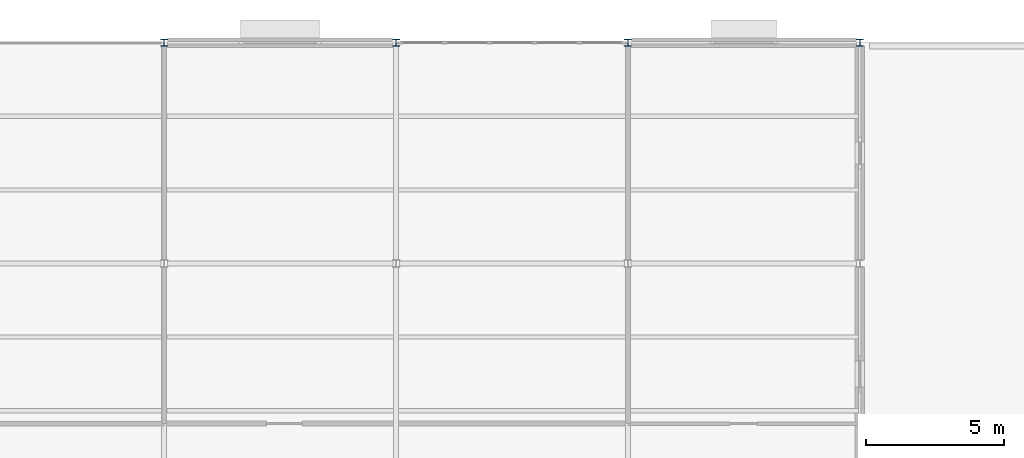
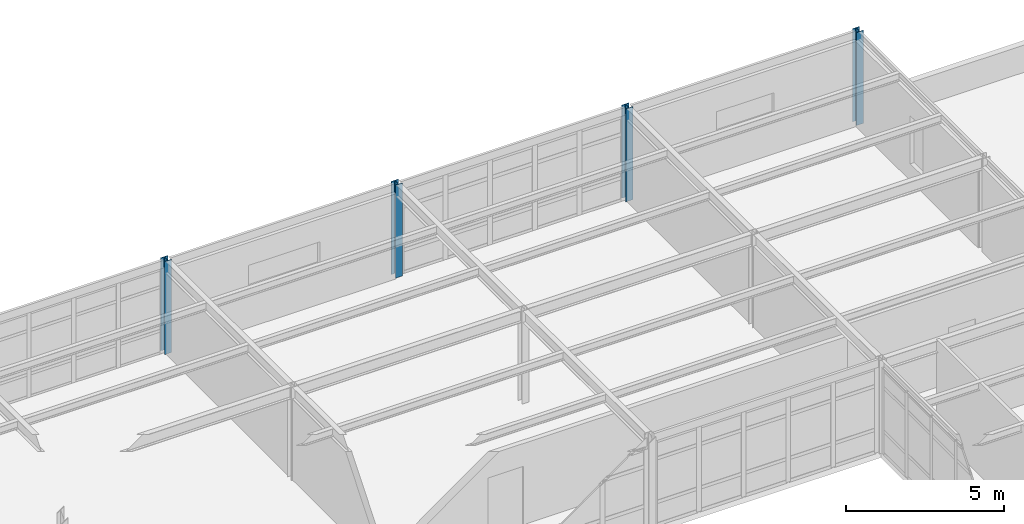
# One storey, part 10 of 53: 4 columns.
"""IFC4 building model written with IfcOpenShell, lengths in metres."""

import ifcopenshell
import ifcopenshell.guid

model = None  # the IFC model being written
_history = None  # IfcOwnerHistory: only IFC2X3 demands one
_inside = {}  # id of a spatial element -> (the spatial element, [elements in it])
_under = {}  # id of a project, library or spatial element -> (it, [spatial elements below it])
_declared = {}  # id of a project -> (the project, [libraries it declares])
_typed = {}  # id of a type object -> (the type object, [elements of that type])
_made_of = {}  # id of a material, layer set ... -> (it, [elements and type objects made of it])


def new_model(schema):
    """Start an empty IFC model of exactly this schema.

    Asked for "IFC4X3", IfcOpenShell would pick the latest addendum, in which some entities
    have other attributes; the version numbers below select the first issue.
    IFC2X3 requires an IfcOwnerHistory on every rooted entity: one is made here for all.
    """
    global model, _history
    if schema == "IFC4X3":
        model = ifcopenshell.file(schema_version=(4, 3, 0, 0))
    else:
        model = ifcopenshell.file(schema=schema)
    _inside.clear()
    _under.clear()
    _declared.clear()
    _typed.clear()
    _made_of.clear()
    _history = None
    if model.schema == "IFC2X3":
        org = make("IfcOrganization", Name="unknown")
        user = make(
            "IfcPersonAndOrganization",
            ThePerson=make("IfcPerson", FamilyName="unknown"),
            TheOrganization=org,
        )
        app = make(
            "IfcApplication",
            ApplicationDeveloper=org,
            Version="unknown",
            ApplicationFullName="unknown",
            ApplicationIdentifier="unknown",
        )
        _history = make(
            "IfcOwnerHistory",
            OwningUser=user,
            OwningApplication=app,
            ChangeAction="ADDED",
            CreationDate=0,
        )
    return model


def make(cls, **values):
    """One entity of the class cls with the attributes given. An attribute that is None is left unset."""
    return model.create_entity(
        cls, **{name: value for name, value in values.items() if value is not None}
    )


def rooted(cls, **values):
    """An entity with a GlobalId (a new one), such as an element, a storey or a relation."""
    return make(cls, GlobalId=ifcopenshell.guid.new(), OwnerHistory=_history, **values)


def si_unit(unit_type, name, prefix=None):
    """IfcSIUnit, for example si_unit("LENGTHUNIT", "METRE", prefix="MILLI")."""
    return make("IfcSIUnit", UnitType=unit_type, Prefix=prefix, Name=name)


def assignment(units):
    """IfcUnitAssignment: the units of a project."""
    return None if units is None else make("IfcUnitAssignment", Units=units)


def point(xyz):
    """IfcCartesianPoint."""
    return None if xyz is None else make("IfcCartesianPoint", Coordinates=xyz)


def direction(xyz):
    """IfcDirection."""
    return None if xyz is None else make("IfcDirection", DirectionRatios=xyz)


def frame(location, z_axis=None, x_axis=None):
    """IfcAxis2Placement3D, a coordinate frame: its origin and axes. An axis left out is left unset."""
    return make(
        "IfcAxis2Placement3D",
        Location=point(location),
        Axis=direction(z_axis),
        RefDirection=direction(x_axis),
    )


def frame_2d(location, x_axis=None):
    """IfcAxis2Placement2D, a coordinate frame in the plane: its origin and x axis."""
    return make(
        "IfcAxis2Placement2D", Location=point(location), RefDirection=direction(x_axis)
    )


def origin():
    """The frame at (0, 0, 0) with its axes left unset."""
    return frame((0.0, 0.0, 0.0))


def origin_2d():
    """The frame at (0, 0) in the plane with its x axis left unset."""
    return frame_2d((0.0, 0.0))


def place(relative_to, where):
    """IfcLocalPlacement: puts the frame where relative to a parent placement (None: the world)."""
    return make(
        "IfcLocalPlacement", PlacementRelTo=relative_to, RelativePlacement=where
    )


def context(
    kind, dimensions, precision=None, world=None, true_north=None, identifier=None
):
    """IfcGeometricRepresentationContext, for example the 3D "Model" context."""
    return make(
        "IfcGeometricRepresentationContext",
        ContextIdentifier=identifier,
        ContextType=kind,
        CoordinateSpaceDimension=dimensions,
        Precision=precision,
        WorldCoordinateSystem=world,
        TrueNorth=true_north,
    )


def subcontext(parent, identifier, kind, view, scale=None):
    """IfcGeometricRepresentationSubContext, for example "Body" below "Model"."""
    return make(
        "IfcGeometricRepresentationSubContext",
        ContextIdentifier=identifier,
        ContextType=kind,
        ParentContext=parent,
        TargetScale=scale,
        TargetView=view,
    )


def project(units=None, contexts=None):
    """IfcProject with its units and contexts."""
    return rooted(
        "IfcProject",
        Name="project",
        RepresentationContexts=contexts,
        UnitsInContext=assignment(units),
    )


def spatial(cls, under=None, at=None, **own):
    """A site, building, storey or space (cls), placed at a placement, below another one or the project."""
    s = rooted(cls, ObjectPlacement=at, **own)
    if under is not None:
        _under.setdefault(under.id(), (under, []))[1].append(s)
    return s


def profile(cls, at=None, kind="AREA", **sizes):
    """A parametric profile (cls). Its sizes go by their IFC names, for example OverallWidth=200.0."""
    return make(cls, ProfileType=kind, Position=at, **sizes)


def i_section(**sizes):
    """IfcIShapeProfileDef."""
    return profile("IfcIShapeProfileDef", **sizes)


def extrude(swept, where, along, depth):
    """IfcExtrudedAreaSolid: the profile swept, set in the frame where, extruded along a direction by depth."""
    return make(
        "IfcExtrudedAreaSolid",
        SweptArea=swept,
        Position=where,
        ExtrudedDirection=direction(along),
        Depth=depth,
    )


def shape(context_of_items, identifier, shape_type, items):
    """IfcShapeRepresentation: the items that make up one representation, for example the "Body"."""
    return make(
        "IfcShapeRepresentation",
        ContextOfItems=context_of_items,
        RepresentationIdentifier=identifier,
        RepresentationType=shape_type,
        Items=items,
    )


def material(Name=None, Category=None):
    """IfcMaterial."""
    return make("IfcMaterial", Name=Name, Category=Category)


def material_profile(
    of_material, cross_section, Name=None, Category=None, Priority=None
):
    """IfcMaterialProfile: a cross section and its material."""
    return make(
        "IfcMaterialProfile",
        Name=Name,
        Material=of_material,
        Profile=cross_section,
        Priority=Priority,
        Category=Category,
    )


def profile_set(profiles, Name=None, composite=None):
    """IfcMaterialProfileSet."""
    return make(
        "IfcMaterialProfileSet",
        Name=Name,
        MaterialProfiles=profiles,
        CompositeProfile=composite,
    )


def made_of(thing, what):
    """Note that an element or type object is made of a material, layer set ...; save() writes the relation."""
    if what is not None:
        _made_of.setdefault(what.id(), (what, []))[1].append(thing)
    return thing


def type_object(cls, material=None, **own):
    """A type object (cls), such as IfcWallType, which elements share."""
    return made_of(rooted(cls, **own), material)


def element(
    cls,
    number,
    at=None,
    inside=None,
    cuts=None,
    type_object=None,
    material=None,
    context=None,
    identifier="Body",
    shape_type=None,
    held_by="IfcProductDefinitionShape",
    body=None,
    shapes=None,
    **own,
):
    """One element of the class cls, such as IfcWall. Its Tag is "e" and its number.

    at: its placement. inside: the storey or other place that contains it. cuts: it is an
    opening in that element (IfcRelVoidsElement). A single representation is given by context,
    identifier, shape_type and body (its items); several are given by shapes. held_by: the class
    of the entity that holds the representations. save() writes the other relations.
    """
    e = rooted(cls, Tag="e%d" % number, ObjectPlacement=at, **own)
    if body is not None:
        shapes = [shape(context, identifier, shape_type, body)]
    if shapes is not None:
        e.Representation = make(held_by, Representations=shapes)
    if inside is not None:
        _inside.setdefault(inside.id(), (inside, []))[1].append(e)
    if cuts is not None:
        rooted(
            "IfcRelVoidsElement", RelatingBuildingElement=cuts, RelatedOpeningElement=e
        )
    if type_object is not None:
        _typed.setdefault(type_object.id(), (type_object, []))[1].append(e)
    return made_of(e, material)


def aggregate(whole, parts):
    """IfcRelAggregates: a whole, such as a stair, and the parts it consists of."""
    return rooted("IfcRelAggregates", RelatingObject=whole, RelatedObjects=parts)


def save(model, path):
    """Write the relations noted so far, then the file.

    IfcRelAggregates (storeys below a building ...), IfcRelContainedInSpatialStructure (elements
    in a storey), IfcRelDefinesByType, IfcRelAssociatesMaterial and IfcRelDeclares: one each for
    every whole, place, type object, material and project.
    """
    for whole, parts in _under.values():
        aggregate(whole, parts)
    for where, things in _inside.values():
        rooted(
            "IfcRelContainedInSpatialStructure",
            RelatedElements=things,
            RelatingStructure=where,
        )
    for kind, things in _typed.values():
        rooted("IfcRelDefinesByType", RelatedObjects=things, RelatingType=kind)
    for what, things in _made_of.values():
        rooted("IfcRelAssociatesMaterial", RelatedObjects=things, RelatingMaterial=what)
    for by, libraries in _declared.values():
        rooted("IfcRelDeclares", RelatingContext=by, RelatedDefinitions=libraries)
    model.write(path)


model = new_model("IFC4")

# Units and contexts
model_context = context("Model", 3, precision=1e-05, world=origin(), true_north=direction((0.0, 1.0)))
body_context = subcontext(model_context, "Body", "Model", "MODEL_VIEW")
ifc_project = project(units=[si_unit("LENGTHUNIT", "METRE"), si_unit("AREAUNIT", "SQUARE_METRE"), si_unit("VOLUMEUNIT", "CUBIC_METRE"), si_unit("PLANEANGLEUNIT", "RADIAN"), si_unit("MASSUNIT", "GRAM", prefix="KILO")], contexts=[model_context])

# Site, building, storey
site_placement = place(None, origin())
site = spatial("IfcSite", under=ifc_project, at=site_placement, CompositionType="ELEMENT")
building_placement = place(site_placement, origin())
building = spatial("IfcBuilding", under=site, at=building_placement, Name="Kranzveld Transit Interchange", CompositionType="ELEMENT")
storey_placement = place(building_placement, frame((0.0, 0.0, 13.360107421875)))
storey = spatial("IfcBuildingStorey", under=building, at=storey_placement, Name="L03", CompositionType="ELEMENT", Elevation=13.360107421875)

# Columns
ifc_material = material(Name="Steel S355JR", Category="steel")
ifc_material_profile = material_profile(ifc_material, i_section(OverallWidth=0.25634765625, OverallDepth=0.26025390625, WebThickness=0.01025390625, FlangeThickness=0.017333984375, FilletRadius=0.0126953125, at=origin_2d()), Name="UC 254x254x89")
ifc_profile_set = profile_set([ifc_material_profile], Name="Steel S355JR")
column_type = type_object("IfcColumnType", Name="Column Steel UC 254x254x89 S355JR", PredefinedType="COLUMN", material=ifc_profile_set)
for number, where, z_axis, x_axis, name in (
    (1, (134.39990234375, 112.0, 0.0), (0.0, 0.0, 1.0), (1.0, 0.0, 0.0), "L03 Column 17/Q"),
    (2, (142.800048828125, 112.0, 0.0), (0.0, 0.0, 1.0), (1.0, 0.0, 0.0), "L03 Column 18/Q"),
    (3, (151.199951171875, 112.0, 0.0), (0.0, 0.0, 1.0), (1.0, 0.0, 0.0), "L03 Column 19/Q"),
    (4, (159.60009765625, 112.0, 0.0), (0.0, 0.0, 1.0), (1.0, 0.0, 0.0), "L03 Column 20/Q"),
):
    element("IfcColumn", number, at=place(storey_placement, frame(where, z_axis=z_axis, x_axis=x_axis)), inside=storey, type_object=column_type, Name=name, PredefinedType="COLUMN", context=body_context, shape_type="SweptSolid", body=[
        extrude(i_section(OverallWidth=0.25634765625, OverallDepth=0.26025390625, WebThickness=0.01025390625, FlangeThickness=0.017333984375, FilletRadius=0.0126953125, at=origin_2d()), origin(), (0.0, 0.0, 1.0), 3.579833984375),
    ])

save(model, "model.ifc")
